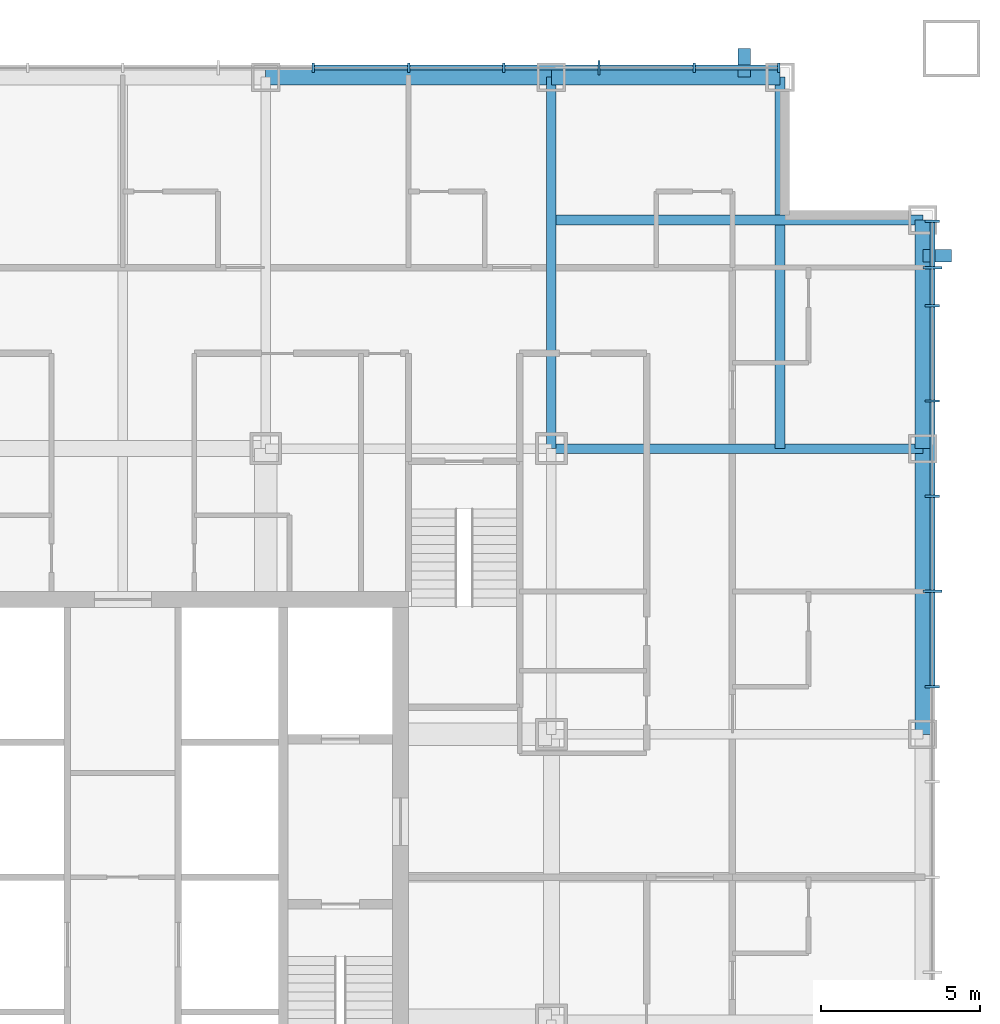
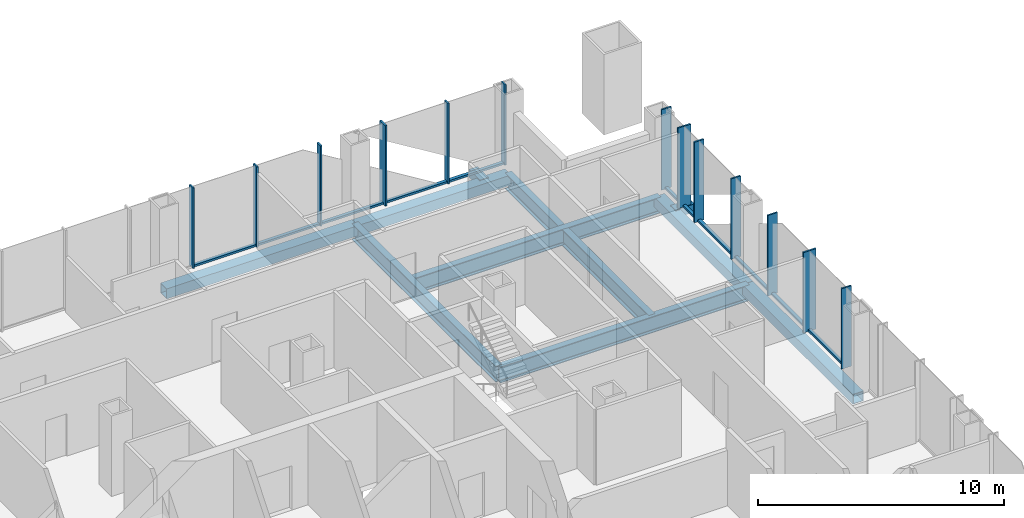
# One storey, part 5 of 13: 26 members, 8 beams, 2 elements without a shape of their own.
"""IFC4 building model written with IfcOpenShell, lengths in metres."""

from ifc_helpers import new_model, si_unit, direction, frame, origin, origin_2d, place, context, subcontext, project, spatial, rectangle, hollow_rectangle, i_section, extrude, material, layer, layer_set, material_profile, profile_set, type_object, element, aggregate, save


model = new_model("IFC4")

# Units and contexts
model_context = context("Model", 3, precision=1e-05, world=origin(), true_north=direction((0.0, 1.0)))
body_context = subcontext(model_context, "Body", "Model", "MODEL_VIEW")
ifc_project = project(units=[si_unit("LENGTHUNIT", "METRE"), si_unit("AREAUNIT", "SQUARE_METRE"), si_unit("VOLUMEUNIT", "CUBIC_METRE"), si_unit("PLANEANGLEUNIT", "RADIAN"), si_unit("MASSUNIT", "GRAM", prefix="KILO")], contexts=[model_context])

# Site, building, storey
site_placement = place(None, origin())
site = spatial("IfcSite", under=ifc_project, at=site_placement, CompositionType="ELEMENT")
building_placement = place(site_placement, origin())
building = spatial("IfcBuilding", under=site, at=building_placement, Name="Malebo Sky Hospital", CompositionType="ELEMENT")
storey_placement = place(building_placement, frame((0.0, 0.0, 67.0)))
storey = spatial("IfcBuildingStorey", under=building, at=storey_placement, Name="L15", CompositionType="ELEMENT", Elevation=67.0)

# Curtain wall, members
ifc_material_1 = material(Name="Anodised aluminium, natural silver", Category="aluminium")
ifc_layer_1 = layer(ifc_material_1, 0.25)
ifc_layer_set_1 = layer_set([ifc_layer_1], Name="WARD CURTAIN WALL NORTH AND SOUTH")
curtain_wall_type_1 = type_object("IfcCurtainWallType", Name="WARD CURTAIN WALL NORTH AND SOUTH", PredefinedType="NOTDEFINED", material=ifc_layer_set_1)
curtain_wall_1_placement = place(storey_placement, origin())
curtain_wall_1 = element("IfcCurtainWall", 1, at=curtain_wall_1_placement, inside=storey, type_object=curtain_wall_type_1, Name="NS curtain wall N", PredefinedType="NOTDEFINED")
ifc_material_profile_1 = material_profile(ifc_material_1, rectangle(XDim=0.14990234375, YDim=0.10009765625, at=origin_2d()), Name="ALUMINIUM TRANSOM 150x100")
ifc_profile_set_1 = profile_set([ifc_material_profile_1], Name="Anodised aluminium, natural silver")
member_type_1 = type_object("IfcMemberType", Name="ALUMINIUM TRANSOM 150x100", PredefinedType="USERDEFINED", material=ifc_profile_set_1)
member_1_placement = place(storey_placement, frame((66.03759765625, 87.5, 0.050048828125), z_axis=(1.0, 0.0, 0.0), x_axis=(0.0, 1.0, 0.0)))
member_1 = element("IfcMember", 2, at=member_1_placement, type_object=member_type_1, Name="Transom 11", ObjectType="TRANSOM", PredefinedType="USERDEFINED", context=body_context, shape_type="SweptSolid", body=[
    extrude(rectangle(XDim=0.14990234375, YDim=0.10009765625, at=origin_2d()), origin(), (0.0, 0.0, 1.0), 2.9248046875),
])
member_2_placement = place(storey_placement, frame((69.03759765625, 87.5, 0.050048828125), z_axis=(1.0, 0.0, 0.0), x_axis=(0.0, 1.0, 0.0)))
member_2 = element("IfcMember", 3, at=member_2_placement, type_object=member_type_1, Name="Transom 12", ObjectType="TRANSOM", PredefinedType="USERDEFINED", context=body_context, shape_type="SweptSolid", body=[
    extrude(rectangle(XDim=0.14990234375, YDim=0.10009765625, at=origin_2d()), origin(), (0.0, 0.0, 1.0), 2.9248046875),
])
member_3_placement = place(storey_placement, frame((72.03759765625, 87.5, 0.050048828125), z_axis=(1.0, 0.0, 0.0), x_axis=(0.0, 1.0, 0.0)))
member_3 = element("IfcMember", 4, at=member_3_placement, type_object=member_type_1, Name="Transom 13", ObjectType="TRANSOM", PredefinedType="USERDEFINED", context=body_context, shape_type="SweptSolid", body=[
    extrude(rectangle(XDim=0.14990234375, YDim=0.10009765625, at=origin_2d()), origin(), (0.0, 0.0, 1.0), 2.9248046875),
])
member_4_placement = place(storey_placement, frame((75.03759765625, 87.5, 0.050048828125), z_axis=(1.0, 0.0, 0.0), x_axis=(0.0, 1.0, 0.0)))
member_4 = element("IfcMember", 5, at=member_4_placement, type_object=member_type_1, Name="Transom 14", ObjectType="TRANSOM", PredefinedType="USERDEFINED", context=body_context, shape_type="SweptSolid", body=[
    extrude(rectangle(XDim=0.14990234375, YDim=0.10009765625, at=origin_2d()), origin(), (0.0, 0.0, 1.0), 2.9248046875),
])
member_5_placement = place(storey_placement, frame((78.03759765625, 87.5, 0.050048828125), z_axis=(1.0, 0.0, 0.0), x_axis=(0.0, 1.0, 0.0)))
member_5 = element("IfcMember", 6, at=member_5_placement, type_object=member_type_1, Name="Transom 15", ObjectType="TRANSOM", PredefinedType="USERDEFINED", context=body_context, shape_type="SweptSolid", body=[
    extrude(rectangle(XDim=0.14990234375, YDim=0.10009765625, at=origin_2d()), origin(), (0.0, 0.0, 1.0), 2.58740234375),
])

ifc_layer_2 = layer(ifc_material_1, 0.25)
ifc_layer_set_2 = layer_set([ifc_layer_2], Name="WARD CURTAIN WALL EAST AND WEST")
curtain_wall_type_2 = type_object("IfcCurtainWallType", Name="WARD CURTAIN WALL EAST AND WEST", PredefinedType="NOTDEFINED", material=ifc_layer_set_2)
curtain_wall_2_placement = place(storey_placement, origin())
curtain_wall_2 = element("IfcCurtainWall", 7, at=curtain_wall_2_placement, inside=storey, type_object=curtain_wall_type_2, Name="EW curtain wall E", PredefinedType="NOTDEFINED")
member_6_placement = place(storey_placement, frame((85.5, 82.625, 0.050048828125), z_axis=(0.0, -1.0, 0.0), x_axis=(1.0, 0.0, 0.0)))
member_6 = element("IfcMember", 8, at=member_6_placement, type_object=member_type_1, Name="Transom 1", ObjectType="TRANSOM", PredefinedType="USERDEFINED", context=body_context, shape_type="SweptSolid", body=[
    extrude(rectangle(XDim=0.14990234375, YDim=0.10009765625, at=origin_2d()), origin(), (0.0, 0.0, 1.0), 1.387451171875),
])
member_7_placement = place(storey_placement, frame((85.5, 81.16259765625, 0.050048828125), z_axis=(0.0, -1.0, 0.0), x_axis=(1.0, 0.0, 0.0)))
member_7 = element("IfcMember", 9, at=member_7_placement, type_object=member_type_1, Name="Transom 2", ObjectType="TRANSOM", PredefinedType="USERDEFINED", context=body_context, shape_type="SweptSolid", body=[
    extrude(rectangle(XDim=0.14990234375, YDim=0.10009765625, at=origin_2d()), origin(), (0.0, 0.0, 1.0), 1.125),
])
member_8_placement = place(storey_placement, frame((85.5, 79.96240234375, 0.050048828125), z_axis=(0.0, -1.0, 0.0), x_axis=(1.0, 0.0, 0.0)))
member_8 = element("IfcMember", 10, at=member_8_placement, type_object=member_type_1, Name="Transom 3", ObjectType="TRANSOM", PredefinedType="USERDEFINED", context=body_context, shape_type="SweptSolid", body=[
    extrude(rectangle(XDim=0.14990234375, YDim=0.10009765625, at=origin_2d()), origin(), (0.0, 0.0, 1.0), 2.9248046875),
])
member_9_placement = place(storey_placement, frame((85.5, 76.96240234375, 0.050048828125), z_axis=(0.0, -1.0, 0.0), x_axis=(1.0, 0.0, 0.0)))
member_9 = element("IfcMember", 11, at=member_9_placement, type_object=member_type_1, Name="Transom 4", ObjectType="TRANSOM", PredefinedType="USERDEFINED", context=body_context, shape_type="SweptSolid", body=[
    extrude(rectangle(XDim=0.14990234375, YDim=0.10009765625, at=origin_2d()), origin(), (0.0, 0.0, 1.0), 2.9248046875),
])
member_10_placement = place(storey_placement, frame((85.5, 73.96240234375, 0.050048828125), z_axis=(0.0, -1.0, 0.0), x_axis=(1.0, 0.0, 0.0)))
member_10 = element("IfcMember", 12, at=member_10_placement, type_object=member_type_1, Name="Transom 5", ObjectType="TRANSOM", PredefinedType="USERDEFINED", context=body_context, shape_type="SweptSolid", body=[
    extrude(rectangle(XDim=0.14990234375, YDim=0.10009765625, at=origin_2d()), origin(), (0.0, 0.0, 1.0), 2.9248046875),
])
member_11_placement = place(storey_placement, frame((85.5, 70.96240234375, 0.050048828125), z_axis=(0.0, -1.0, 0.0), x_axis=(1.0, 0.0, 0.0)))
member_11 = element("IfcMember", 13, at=member_11_placement, type_object=member_type_1, Name="Transom 6", ObjectType="TRANSOM", PredefinedType="USERDEFINED", context=body_context, shape_type="SweptSolid", body=[
    extrude(rectangle(XDim=0.14990234375, YDim=0.10009765625, at=origin_2d()), origin(), (0.0, 0.0, 1.0), 2.9248046875),
])

# Members
ifc_material_2 = material(Name="Steel S355", Category="steel")
ifc_material_profile_2 = material_profile(ifc_material_2, hollow_rectangle(XDim=0.39990234375, YDim=0.39990234375, WallThickness=0.02001953125, at=origin_2d()), Name="SHS 400x20")
ifc_profile_set_2 = profile_set([ifc_material_profile_2], Name="Steel S355")
member_type_2 = type_object("IfcMemberType", Name="BRACE STRUT SHS 400x20", PredefinedType="STRUT", material=ifc_profile_set_2)
for number, where, z_axis, x_axis, name in (
    (14, (79.574951171875, 88.10009765625, -0.39990234375), (0.0, -1.0, 0.0), (1.0, 0.0, 0.0), "Brace strut AN1 L15"),
    (15, (86.10009765625, 81.574951171875, -0.39990234375), (-1.0, 0.0, 0.0), (0.0, -1.0, 0.0), "Brace strut AE2 L15"),
):
    element("IfcMember", number, at=place(storey_placement, frame(where, z_axis=z_axis, x_axis=x_axis)), inside=storey, type_object=member_type_2, Name=name, PredefinedType="STRUT", context=body_context, shape_type="SweptSolid", body=[
        extrude(hollow_rectangle(XDim=0.39990234375, YDim=0.39990234375, WallThickness=0.02001953125, at=origin_2d()), origin(), (0.0, 0.0, 1.0), 0.900146484375),
    ])

# Member
ifc_material_profile_3 = material_profile(ifc_material_1, rectangle(XDim=0.074951171875, YDim=0.300048828125, at=origin_2d()), Name="CW1 ALUMINIUM FIN MULLION 75x300")
ifc_profile_set_3 = profile_set([ifc_material_profile_3], Name="Anodised aluminium, natural silver")
member_type_3 = type_object("IfcMemberType", Name="CW1 ALUMINIUM FIN MULLION 75x300", PredefinedType="MULLION", material=ifc_profile_set_3)
member_12_placement = place(storey_placement, frame((66.0, 87.5, 0.0), z_axis=(0.0, 0.0, 1.0), x_axis=(1.0, 0.0, 0.0)))
member_12 = element("IfcMember", 16, at=member_12_placement, type_object=member_type_3, Name="Fin mullion 11", PredefinedType="MULLION", context=body_context, shape_type="SweptSolid", body=[
    extrude(rectangle(XDim=0.074951171875, YDim=0.300048828125, at=origin_2d()), origin(), (0.0, 0.0, 1.0), 4.0),
])

member_13_placement = place(storey_placement, frame((69.0, 87.5, 0.0), z_axis=(0.0, 0.0, 1.0), x_axis=(1.0, 0.0, 0.0)))
member_13 = element("IfcMember", 17, at=member_13_placement, type_object=member_type_3, Name="Fin mullion 12", PredefinedType="MULLION", context=body_context, shape_type="SweptSolid", body=[
    extrude(rectangle(XDim=0.074951171875, YDim=0.300048828125, at=origin_2d()), origin(), (0.0, 0.0, 1.0), 4.0),
])

member_14_placement = place(storey_placement, frame((72.0, 87.5, 0.0), z_axis=(0.0, 0.0, 1.0), x_axis=(1.0, 0.0, 0.0)))
member_14 = element("IfcMember", 18, at=member_14_placement, type_object=member_type_3, Name="Fin mullion 13", PredefinedType="MULLION", context=body_context, shape_type="SweptSolid", body=[
    extrude(rectangle(XDim=0.074951171875, YDim=0.300048828125, at=origin_2d()), origin(), (0.0, 0.0, 1.0), 4.0),
])

member_15_placement = place(storey_placement, frame((78.0, 87.5, 0.0), z_axis=(0.0, 0.0, 1.0), x_axis=(1.0, 0.0, 0.0)))
member_15 = element("IfcMember", 19, at=member_15_placement, type_object=member_type_3, Name="Fin mullion 15", PredefinedType="MULLION", context=body_context, shape_type="SweptSolid", body=[
    extrude(rectangle(XDim=0.074951171875, YDim=0.300048828125, at=origin_2d()), origin(), (0.0, 0.0, 1.0), 4.0),
])

member_16_placement = place(storey_placement, frame((80.66259765625, 87.5, 0.0), z_axis=(0.0, 0.0, 1.0), x_axis=(1.0, 0.0, 0.0)))
member_16 = element("IfcMember", 20, at=member_16_placement, type_object=member_type_3, Name="Fin mullion 16", PredefinedType="MULLION", context=body_context, shape_type="SweptSolid", body=[
    extrude(rectangle(XDim=0.074951171875, YDim=0.300048828125, at=origin_2d()), origin(), (0.0, 0.0, 1.0), 4.0),
])

ifc_material_profile_4 = material_profile(ifc_material_1, rectangle(XDim=0.074951171875, YDim=0.449951171875, at=origin_2d()), Name="CW1 ALUMINIUM FIN MULLION 75x450")
ifc_profile_set_4 = profile_set([ifc_material_profile_4], Name="Anodised aluminium, natural silver")
member_type_4 = type_object("IfcMemberType", Name="CW1 ALUMINIUM FIN MULLION 75x450", PredefinedType="MULLION", material=ifc_profile_set_4)
member_17_placement = place(storey_placement, frame((75.0, 87.5, 0.0), z_axis=(0.0, 0.0, 1.0), x_axis=(1.0, 0.0, 0.0)))
member_17 = element("IfcMember", 21, at=member_17_placement, type_object=member_type_4, Name="Fin mullion 14", PredefinedType="MULLION", context=body_context, shape_type="SweptSolid", body=[
    extrude(rectangle(XDim=0.074951171875, YDim=0.449951171875, at=origin_2d()), origin(), (0.0, 0.0, 1.0), 4.0),
])

aggregate(curtain_wall_1, [member_12, member_13, member_14, member_17, member_15, member_16, member_1, member_2, member_3, member_4, member_5])

ifc_material_profile_5 = material_profile(ifc_material_1, rectangle(XDim=0.074951171875, YDim=0.449951171875, at=origin_2d()), Name="CW2 ALUMINIUM FIN MULLION 75x450")
ifc_profile_set_5 = profile_set([ifc_material_profile_5], Name="Anodised aluminium, natural silver")
member_type_5 = type_object("IfcMemberType", Name="CW2 ALUMINIUM FIN MULLION 75x450", PredefinedType="MULLION", material=ifc_profile_set_5)
member_18_placement = place(storey_placement, frame((85.5, 82.66259765625, 0.0), z_axis=(0.0, 0.0, 1.0), x_axis=(0.0, -1.0, 0.0)))
member_18 = element("IfcMember", 22, at=member_18_placement, type_object=member_type_5, Name="Fin mullion 1", PredefinedType="MULLION", context=body_context, shape_type="SweptSolid", body=[
    extrude(rectangle(XDim=0.074951171875, YDim=0.449951171875, at=origin_2d()), origin(), (0.0, 0.0, 1.0), 4.0),
])

member_19_placement = place(storey_placement, frame((85.5, 80.0, 0.0), z_axis=(0.0, 0.0, 1.0), x_axis=(0.0, -1.0, 0.0)))
member_19 = element("IfcMember", 23, at=member_19_placement, type_object=member_type_5, Name="Fin mullion 3", PredefinedType="MULLION", context=body_context, shape_type="SweptSolid", body=[
    extrude(rectangle(XDim=0.074951171875, YDim=0.449951171875, at=origin_2d()), origin(), (0.0, 0.0, 1.0), 4.0),
])

member_20_placement = place(storey_placement, frame((85.5, 77.0, 0.0), z_axis=(0.0, 0.0, 1.0), x_axis=(0.0, -1.0, 0.0)))
member_20 = element("IfcMember", 24, at=member_20_placement, type_object=member_type_5, Name="Fin mullion 4", PredefinedType="MULLION", context=body_context, shape_type="SweptSolid", body=[
    extrude(rectangle(XDim=0.074951171875, YDim=0.449951171875, at=origin_2d()), origin(), (0.0, 0.0, 1.0), 4.0),
])

member_21_placement = place(storey_placement, frame((85.5, 74.0, 0.0), z_axis=(0.0, 0.0, 1.0), x_axis=(0.0, -1.0, 0.0)))
member_21 = element("IfcMember", 25, at=member_21_placement, type_object=member_type_5, Name="Fin mullion 5", PredefinedType="MULLION", context=body_context, shape_type="SweptSolid", body=[
    extrude(rectangle(XDim=0.074951171875, YDim=0.449951171875, at=origin_2d()), origin(), (0.0, 0.0, 1.0), 4.0),
])

member_22_placement = place(storey_placement, frame((85.5, 68.0, 0.0), z_axis=(0.0, 0.0, 1.0), x_axis=(0.0, -1.0, 0.0)))
member_22 = element("IfcMember", 26, at=member_22_placement, type_object=member_type_5, Name="Fin mullion 7", PredefinedType="MULLION", context=body_context, shape_type="SweptSolid", body=[
    extrude(rectangle(XDim=0.074951171875, YDim=0.449951171875, at=origin_2d()), origin(), (0.0, 0.0, 1.0), 4.0),
])

ifc_material_profile_6 = material_profile(ifc_material_1, rectangle(XDim=0.074951171875, YDim=0.60009765625, at=origin_2d()), Name="CW2 ALUMINIUM FIN MULLION 75x600")
ifc_profile_set_6 = profile_set([ifc_material_profile_6], Name="Anodised aluminium, natural silver")
member_type_6 = type_object("IfcMemberType", Name="CW2 ALUMINIUM FIN MULLION 75x600", PredefinedType="MULLION", material=ifc_profile_set_6)
member_23_placement = place(storey_placement, frame((85.5, 81.199951171875, 0.0), z_axis=(0.0, 0.0, 1.0), x_axis=(0.0, -1.0, 0.0)))
member_23 = element("IfcMember", 27, at=member_23_placement, type_object=member_type_6, Name="Fin mullion 2", PredefinedType="MULLION", context=body_context, shape_type="SweptSolid", body=[
    extrude(rectangle(XDim=0.074951171875, YDim=0.60009765625, at=origin_2d()), origin(), (0.0, 0.0, 1.0), 4.0),
])

member_24_placement = place(storey_placement, frame((85.5, 71.0, 0.0), z_axis=(0.0, 0.0, 1.0), x_axis=(0.0, -1.0, 0.0)))
member_24 = element("IfcMember", 28, at=member_24_placement, type_object=member_type_6, Name="Fin mullion 6", PredefinedType="MULLION", context=body_context, shape_type="SweptSolid", body=[
    extrude(rectangle(XDim=0.074951171875, YDim=0.60009765625, at=origin_2d()), origin(), (0.0, 0.0, 1.0), 4.0),
])

aggregate(curtain_wall_2, [member_18, member_23, member_19, member_20, member_21, member_24, member_22, member_6, member_7, member_8, member_9, member_10, member_11])

# Beams
ifc_material_3 = material(Name="Steel S460", Category="steel")
ifc_material_profile_7 = material_profile(ifc_material_3, hollow_rectangle(XDim=0.5, YDim=0.5, WallThickness=0.030029296875, at=origin_2d()), Name="BOX 500x500x30")
ifc_profile_set_7 = profile_set([ifc_material_profile_7], Name="Steel S460")
beam_type_1 = type_object("IfcBeamType", Name="EDGE BEAM BOX 500x500x30", PredefinedType="BEAM", material=ifc_profile_set_7)
beam_1_placement = place(storey_placement, frame((85.199951171875, 66.5, -0.5), z_axis=(0.0, 1.0, 0.0), x_axis=(-1.0, 0.0, 0.0)))
element("IfcBeam", 29, at=beam_1_placement, inside=storey, type_object=beam_type_1, Name="Beam 032 L15", PredefinedType="BEAM", context=body_context, shape_type="SweptSolid", body=[
    extrude(hollow_rectangle(XDim=0.5, YDim=0.5, WallThickness=0.030029296875, at=origin_2d()), origin(), (0.0, 0.0, 1.0), 9.0),
])
beam_2_placement = place(storey_placement, frame((85.199951171875, 75.5, -0.5), z_axis=(0.0, 1.0, 0.0), x_axis=(-1.0, 0.0, 0.0)))
element("IfcBeam", 30, at=beam_2_placement, inside=storey, type_object=beam_type_1, Name="Beam 033 L15", PredefinedType="BEAM", context=body_context, shape_type="SweptSolid", body=[
    extrude(hollow_rectangle(XDim=0.5, YDim=0.5, WallThickness=0.030029296875, at=origin_2d()), origin(), (0.0, 0.0, 1.0), 7.199951171875),
])
beam_3_placement = place(storey_placement, frame((64.5, 87.199951171875, -0.5), z_axis=(1.0, 0.0, 0.0), x_axis=(0.0, 1.0, 0.0)))
element("IfcBeam", 31, at=beam_3_placement, inside=storey, type_object=beam_type_1, Name="Beam 066 L15", PredefinedType="BEAM", context=body_context, shape_type="SweptSolid", body=[
    extrude(hollow_rectangle(XDim=0.5, YDim=0.5, WallThickness=0.030029296875, at=origin_2d()), origin(), (0.0, 0.0, 1.0), 9.0),
])
beam_4_placement = place(storey_placement, frame((73.5, 87.199951171875, -0.5), z_axis=(1.0, 0.0, 0.0), x_axis=(0.0, 1.0, 0.0)))
element("IfcBeam", 32, at=beam_4_placement, inside=storey, type_object=beam_type_1, Name="Beam 067 L15", PredefinedType="BEAM", context=body_context, shape_type="SweptSolid", body=[
    extrude(hollow_rectangle(XDim=0.5, YDim=0.5, WallThickness=0.030029296875, at=origin_2d()), origin(), (0.0, 0.0, 1.0), 7.199951171875),
])
ifc_material_profile_8 = material_profile(ifc_material_2, i_section(OverallWidth=0.300048828125, OverallDepth=0.800048828125, WebThickness=0.017578125, FlangeThickness=0.032958984375, FilletRadius=0.030029296875, at=origin_2d()), Name="HEB 800")
ifc_profile_set_8 = profile_set([ifc_material_profile_8], Name="Steel S355")
beam_type_2 = type_object("IfcBeamType", Name="FLOOR BEAM HEB 800", PredefinedType="BEAM", material=ifc_profile_set_8)
for number, where, z_axis, x_axis, name in (
    (33, (80.699951171875, 75.5, -0.64990234375), (0.0, 1.0, 0.0), (-1.0, 0.0, 0.0), "Beam 028 L15"),
    (34, (73.5, 82.699951171875, -0.64990234375), (1.0, 0.0, 0.0), (0.0, 1.0, 0.0), "Beam 062 L15"),
):
    element("IfcBeam", number, at=place(storey_placement, frame(where, z_axis=z_axis, x_axis=x_axis)), inside=storey, type_object=beam_type_2, Name=name, PredefinedType="BEAM", context=body_context, shape_type="SweptSolid", body=[
        extrude(i_section(OverallWidth=0.300048828125, OverallDepth=0.800048828125, WebThickness=0.017578125, FlangeThickness=0.032958984375, FilletRadius=0.030029296875, at=origin_2d()), origin(), (0.0, 0.0, 1.0), 11.699951171875),
    ])
ifc_material_profile_9 = material_profile(ifc_material_2, i_section(OverallWidth=0.300048828125, OverallDepth=0.800048828125, WebThickness=0.017578125, FlangeThickness=0.032958984375, FilletRadius=0.030029296875, at=origin_2d()), Name="HEB 800")
ifc_profile_set_9 = profile_set([ifc_material_profile_9], Name="Steel S355")
beam_type_3 = type_object("IfcBeamType", Name="FLOOR GIRDER HEB 800", PredefinedType="BEAM", material=ifc_profile_set_9)
for number, where, z_axis, x_axis, name in (
    (35, (73.5, 75.5, -0.64990234375), (0.0, 1.0, 0.0), (-1.0, 0.0, 0.0), "Beam 026 L15"),
    (36, (73.5, 75.5, -0.64990234375), (1.0, 0.0, 0.0), (0.0, 1.0, 0.0), "Beam 060 L15"),
):
    element("IfcBeam", number, at=place(storey_placement, frame(where, z_axis=z_axis, x_axis=x_axis)), inside=storey, type_object=beam_type_3, Name=name, PredefinedType="BEAM", context=body_context, shape_type="SweptSolid", body=[
        extrude(i_section(OverallWidth=0.300048828125, OverallDepth=0.800048828125, WebThickness=0.017578125, FlangeThickness=0.032958984375, FilletRadius=0.030029296875, at=origin_2d()), origin(), (0.0, 0.0, 1.0), 11.699951171875),
    ])

save(model, "model.ifc")
